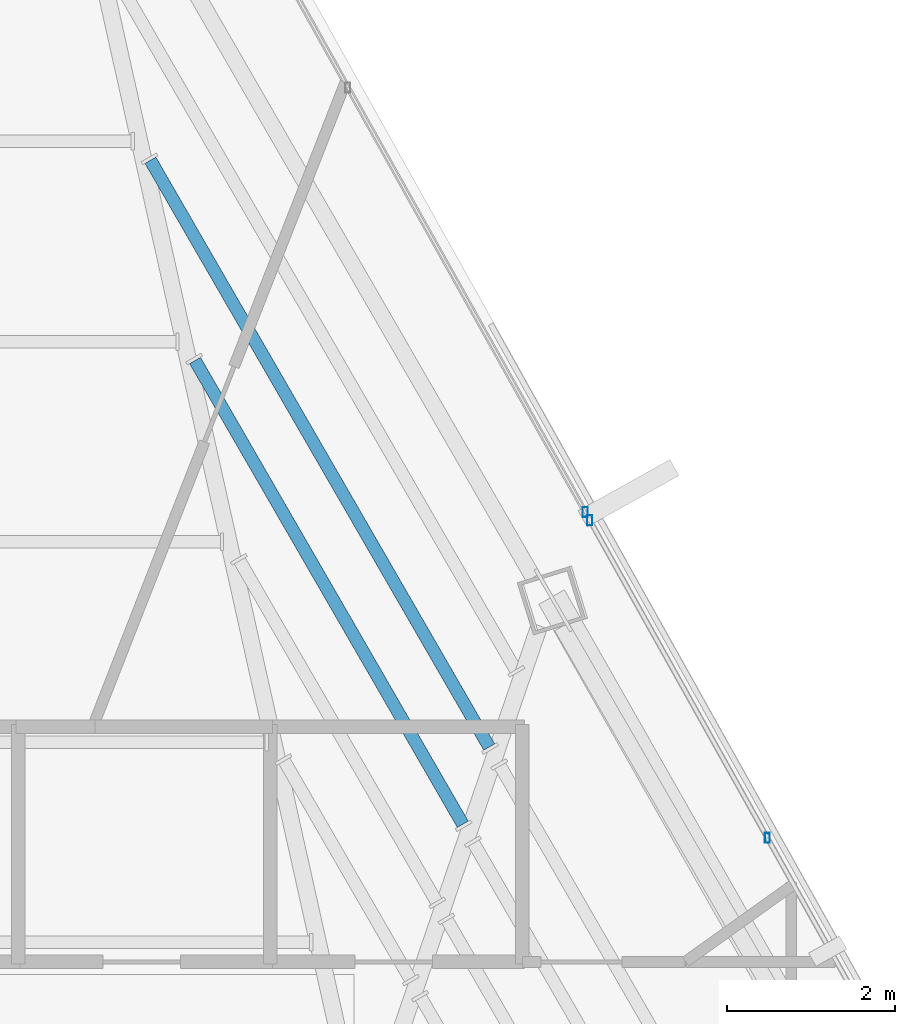
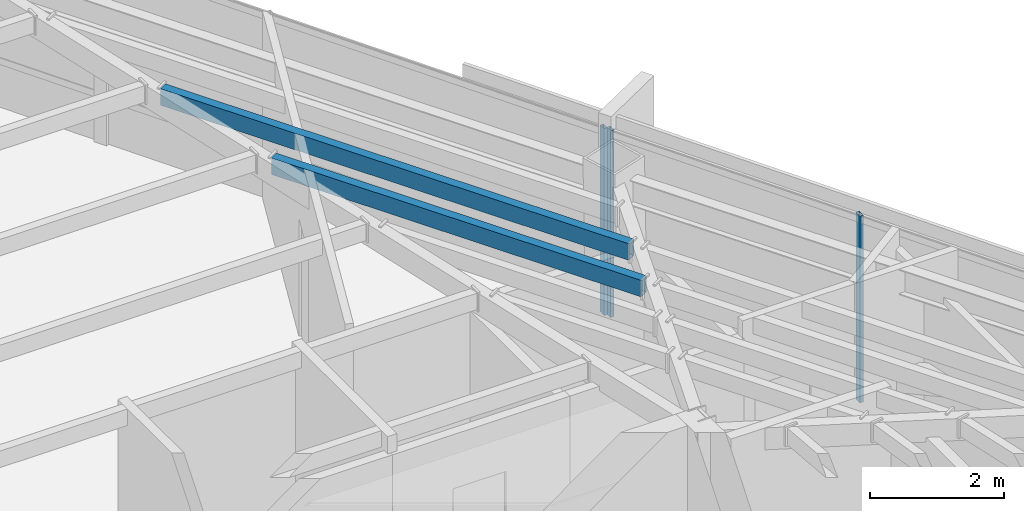
# One storey, part 30 of 47: 3 members, 2 beams, 2 elements without a shape of their own.
"""IFC4 building model written with IfcOpenShell, lengths in metres."""

import ifcopenshell
import ifcopenshell.guid

model = None  # the IFC model being written
_history = None  # IfcOwnerHistory: only IFC2X3 demands one
_inside = {}  # id of a spatial element -> (the spatial element, [elements in it])
_under = {}  # id of a project, library or spatial element -> (it, [spatial elements below it])
_declared = {}  # id of a project -> (the project, [libraries it declares])
_typed = {}  # id of a type object -> (the type object, [elements of that type])
_made_of = {}  # id of a material, layer set ... -> (it, [elements and type objects made of it])


def new_model(schema):
    """Start an empty IFC model of exactly this schema.

    Asked for "IFC4X3", IfcOpenShell would pick the latest addendum, in which some entities
    have other attributes; the version numbers below select the first issue.
    IFC2X3 requires an IfcOwnerHistory on every rooted entity: one is made here for all.
    """
    global model, _history
    if schema == "IFC4X3":
        model = ifcopenshell.file(schema_version=(4, 3, 0, 0))
    else:
        model = ifcopenshell.file(schema=schema)
    _inside.clear()
    _under.clear()
    _declared.clear()
    _typed.clear()
    _made_of.clear()
    _history = None
    if model.schema == "IFC2X3":
        org = make("IfcOrganization", Name="unknown")
        user = make(
            "IfcPersonAndOrganization",
            ThePerson=make("IfcPerson", FamilyName="unknown"),
            TheOrganization=org,
        )
        app = make(
            "IfcApplication",
            ApplicationDeveloper=org,
            Version="unknown",
            ApplicationFullName="unknown",
            ApplicationIdentifier="unknown",
        )
        _history = make(
            "IfcOwnerHistory",
            OwningUser=user,
            OwningApplication=app,
            ChangeAction="ADDED",
            CreationDate=0,
        )
    return model


def make(cls, **values):
    """One entity of the class cls with the attributes given. An attribute that is None is left unset."""
    return model.create_entity(
        cls, **{name: value for name, value in values.items() if value is not None}
    )


def rooted(cls, **values):
    """An entity with a GlobalId (a new one), such as an element, a storey or a relation."""
    return make(cls, GlobalId=ifcopenshell.guid.new(), OwnerHistory=_history, **values)


def si_unit(unit_type, name, prefix=None):
    """IfcSIUnit, for example si_unit("LENGTHUNIT", "METRE", prefix="MILLI")."""
    return make("IfcSIUnit", UnitType=unit_type, Prefix=prefix, Name=name)


def assignment(units):
    """IfcUnitAssignment: the units of a project."""
    return None if units is None else make("IfcUnitAssignment", Units=units)


def point(xyz):
    """IfcCartesianPoint."""
    return None if xyz is None else make("IfcCartesianPoint", Coordinates=xyz)


def direction(xyz):
    """IfcDirection."""
    return None if xyz is None else make("IfcDirection", DirectionRatios=xyz)


def frame(location, z_axis=None, x_axis=None):
    """IfcAxis2Placement3D, a coordinate frame: its origin and axes. An axis left out is left unset."""
    return make(
        "IfcAxis2Placement3D",
        Location=point(location),
        Axis=direction(z_axis),
        RefDirection=direction(x_axis),
    )


def frame_2d(location, x_axis=None):
    """IfcAxis2Placement2D, a coordinate frame in the plane: its origin and x axis."""
    return make(
        "IfcAxis2Placement2D", Location=point(location), RefDirection=direction(x_axis)
    )


def origin():
    """The frame at (0, 0, 0) with its axes left unset."""
    return frame((0.0, 0.0, 0.0))


def origin_2d():
    """The frame at (0, 0) in the plane with its x axis left unset."""
    return frame_2d((0.0, 0.0))


def place(relative_to, where):
    """IfcLocalPlacement: puts the frame where relative to a parent placement (None: the world)."""
    return make(
        "IfcLocalPlacement", PlacementRelTo=relative_to, RelativePlacement=where
    )


def context(
    kind, dimensions, precision=None, world=None, true_north=None, identifier=None
):
    """IfcGeometricRepresentationContext, for example the 3D "Model" context."""
    return make(
        "IfcGeometricRepresentationContext",
        ContextIdentifier=identifier,
        ContextType=kind,
        CoordinateSpaceDimension=dimensions,
        Precision=precision,
        WorldCoordinateSystem=world,
        TrueNorth=true_north,
    )


def subcontext(parent, identifier, kind, view, scale=None):
    """IfcGeometricRepresentationSubContext, for example "Body" below "Model"."""
    return make(
        "IfcGeometricRepresentationSubContext",
        ContextIdentifier=identifier,
        ContextType=kind,
        ParentContext=parent,
        TargetScale=scale,
        TargetView=view,
    )


def project(units=None, contexts=None):
    """IfcProject with its units and contexts."""
    return rooted(
        "IfcProject",
        Name="project",
        RepresentationContexts=contexts,
        UnitsInContext=assignment(units),
    )


def spatial(cls, under=None, at=None, **own):
    """A site, building, storey or space (cls), placed at a placement, below another one or the project."""
    s = rooted(cls, ObjectPlacement=at, **own)
    if under is not None:
        _under.setdefault(under.id(), (under, []))[1].append(s)
    return s


def profile(cls, at=None, kind="AREA", **sizes):
    """A parametric profile (cls). Its sizes go by their IFC names, for example OverallWidth=200.0."""
    return make(cls, ProfileType=kind, Position=at, **sizes)


def hollow_rectangle(**sizes):
    """IfcRectangleHollowProfileDef."""
    return profile("IfcRectangleHollowProfileDef", **sizes)


def extrude(swept, where, along, depth):
    """IfcExtrudedAreaSolid: the profile swept, set in the frame where, extruded along a direction by depth."""
    return make(
        "IfcExtrudedAreaSolid",
        SweptArea=swept,
        Position=where,
        ExtrudedDirection=direction(along),
        Depth=depth,
    )


def shape(context_of_items, identifier, shape_type, items):
    """IfcShapeRepresentation: the items that make up one representation, for example the "Body"."""
    return make(
        "IfcShapeRepresentation",
        ContextOfItems=context_of_items,
        RepresentationIdentifier=identifier,
        RepresentationType=shape_type,
        Items=items,
    )


def source(mapping_origin, context_of_items, identifier, shape_type, items):
    """IfcRepresentationMap: a shape defined once, which mapped items show again and again."""
    return make(
        "IfcRepresentationMap",
        MappingOrigin=mapping_origin,
        MappedRepresentation=shape(context_of_items, identifier, shape_type, items),
    )


def transform(
    local_origin,
    x_axis=None,
    y_axis=None,
    z_axis=None,
    scale=None,
    scale2=None,
    scale3=None,
    uniform=True,
):
    """IfcCartesianTransformationOperator3D, or its non-uniform kind. x_axis, y_axis, z_axis: its Axis1, 2, 3."""
    if uniform:
        return make(
            "IfcCartesianTransformationOperator3D",
            Axis1=direction(x_axis),
            Axis2=direction(y_axis),
            LocalOrigin=point(local_origin),
            Scale=scale,
            Axis3=direction(z_axis),
        )
    return make(
        "IfcCartesianTransformationOperator3DnonUniform",
        Axis1=direction(x_axis),
        Axis2=direction(y_axis),
        LocalOrigin=point(local_origin),
        Scale=scale,
        Axis3=direction(z_axis),
        Scale2=scale2,
        Scale3=scale3,
    )


def mapped(mapping_source, mapping_target):
    """IfcMappedItem: shows the shape of a source again, moved by a transform."""
    return make(
        "IfcMappedItem", MappingSource=mapping_source, MappingTarget=mapping_target
    )


def material(Name=None, Category=None):
    """IfcMaterial."""
    return make("IfcMaterial", Name=Name, Category=Category)


def material_profile(
    of_material, cross_section, Name=None, Category=None, Priority=None
):
    """IfcMaterialProfile: a cross section and its material."""
    return make(
        "IfcMaterialProfile",
        Name=Name,
        Material=of_material,
        Profile=cross_section,
        Priority=Priority,
        Category=Category,
    )


def profile_set(profiles, Name=None, composite=None):
    """IfcMaterialProfileSet."""
    return make(
        "IfcMaterialProfileSet",
        Name=Name,
        MaterialProfiles=profiles,
        CompositeProfile=composite,
    )


def made_of(thing, what):
    """Note that an element or type object is made of a material, layer set ...; save() writes the relation."""
    if what is not None:
        _made_of.setdefault(what.id(), (what, []))[1].append(thing)
    return thing


def type_object(cls, material=None, **own):
    """A type object (cls), such as IfcWallType, which elements share."""
    return made_of(rooted(cls, **own), material)


def type_shapes(of_type, sources):
    """Give a type object the sources (RepresentationMaps) that its elements show as mapped items."""
    of_type.RepresentationMaps = sources


def element(
    cls,
    number,
    at=None,
    inside=None,
    cuts=None,
    type_object=None,
    material=None,
    context=None,
    identifier="Body",
    shape_type=None,
    held_by="IfcProductDefinitionShape",
    body=None,
    shapes=None,
    **own,
):
    """One element of the class cls, such as IfcWall. Its Tag is "e" and its number.

    at: its placement. inside: the storey or other place that contains it. cuts: it is an
    opening in that element (IfcRelVoidsElement). A single representation is given by context,
    identifier, shape_type and body (its items); several are given by shapes. held_by: the class
    of the entity that holds the representations. save() writes the other relations.
    """
    e = rooted(cls, Tag="e%d" % number, ObjectPlacement=at, **own)
    if body is not None:
        shapes = [shape(context, identifier, shape_type, body)]
    if shapes is not None:
        e.Representation = make(held_by, Representations=shapes)
    if inside is not None:
        _inside.setdefault(inside.id(), (inside, []))[1].append(e)
    if cuts is not None:
        rooted(
            "IfcRelVoidsElement", RelatingBuildingElement=cuts, RelatedOpeningElement=e
        )
    if type_object is not None:
        _typed.setdefault(type_object.id(), (type_object, []))[1].append(e)
    return made_of(e, material)


def aggregate(whole, parts):
    """IfcRelAggregates: a whole, such as a stair, and the parts it consists of."""
    return rooted("IfcRelAggregates", RelatingObject=whole, RelatedObjects=parts)


def save(model, path):
    """Write the relations noted so far, then the file.

    IfcRelAggregates (storeys below a building ...), IfcRelContainedInSpatialStructure (elements
    in a storey), IfcRelDefinesByType, IfcRelAssociatesMaterial and IfcRelDeclares: one each for
    every whole, place, type object, material and project.
    """
    for whole, parts in _under.values():
        aggregate(whole, parts)
    for where, things in _inside.values():
        rooted(
            "IfcRelContainedInSpatialStructure",
            RelatedElements=things,
            RelatingStructure=where,
        )
    for kind, things in _typed.values():
        rooted("IfcRelDefinesByType", RelatedObjects=things, RelatingType=kind)
    for what, things in _made_of.values():
        rooted("IfcRelAssociatesMaterial", RelatedObjects=things, RelatingMaterial=what)
    for by, libraries in _declared.values():
        rooted("IfcRelDeclares", RelatingContext=by, RelatedDefinitions=libraries)
    model.write(path)


model = new_model("IFC4")

# Units and contexts
model_context = context("Model", 3, precision=1e-05, world=origin(), true_north=direction((0.0, 1.0)))
body_context = subcontext(model_context, "Body", "Model", "MODEL_VIEW")
ifc_project = project(units=[si_unit("LENGTHUNIT", "METRE"), si_unit("AREAUNIT", "SQUARE_METRE"), si_unit("VOLUMEUNIT", "CUBIC_METRE"), si_unit("PLANEANGLEUNIT", "RADIAN"), si_unit("MASSUNIT", "GRAM", prefix="KILO")], contexts=[model_context])

# Site, building, storey
site_placement = place(None, origin())
site = spatial("IfcSite", under=ifc_project, at=site_placement, CompositionType="ELEMENT")
building_placement = place(site_placement, origin())
building = spatial("IfcBuilding", under=site, at=building_placement, Name="Caelisora Broadcast Tower", CompositionType="ELEMENT")
storey_placement = place(building_placement, frame((0.0, 0.0, 255.39990234375)))
storey = spatial("IfcBuildingStorey", under=building, at=storey_placement, Name="L67", CompositionType="ELEMENT", Elevation=255.39990234375)

# Beams
ifc_material_1 = material(Name="Steel Grade 350 (AS/NZS 1163 C350L0)", Category="steel")
ifc_material_profile_1 = material_profile(ifc_material_1, hollow_rectangle(XDim=0.14990234375, YDim=0.300048828125, WallThickness=0.010009765625, at=origin_2d()), Name="Steel Grade 350 (AS/NZS 1163 C350L0)")
ifc_profile_set_1 = profile_set([ifc_material_profile_1], Name="Steel Grade 350 (AS/NZS 1163 C350L0)")
beam_type = type_object("IfcBeamType", Name="SB05", PredefinedType="JOIST", material=ifc_profile_set_1)
shared_shape_1 = source(origin(), body_context, "Body", "SweptSolid", [
    extrude(hollow_rectangle(XDim=0.14990234375, YDim=0.300048828125, WallThickness=0.010009765625, at=origin_2d()), origin(), (0.0, 0.0, 1.0), 6.371826171875),
])
beam_1_placement = place(storey_placement, frame((46.69189453125, 33.78759765625, 3.25), z_axis=(-0.500020955208, 0.866013304951, 0.0), x_axis=(-0.866013304951, -0.500020955208, 0.0)))
element("IfcBeam", 1, at=beam_1_placement, inside=storey, type_object=beam_type, Name="L67 beam SB05", PredefinedType="JOIST", context=body_context, shape_type="MappedRepresentation", body=[
    mapped(shared_shape_1, transform((0.0, 0.0, 0.0), scale=1.0)),
])
shared_shape_2 = source(origin(), body_context, "Body", "SweptSolid", [
    extrude(hollow_rectangle(XDim=0.14990234375, YDim=0.300048828125, WallThickness=0.010009765625, at=origin_2d()), origin(), (0.0, 0.0, 1.0), 8.062255859375),
])
type_shapes(beam_type, [shared_shape_1, shared_shape_2])
beam_2_placement = place(storey_placement, frame((47.006103515625, 34.706298828125, 3.25), z_axis=(-0.500008168067, 0.866020687897, 0.0), x_axis=(-0.866020687897, -0.500008168067, 0.0)))
element("IfcBeam", 2, at=beam_2_placement, inside=storey, type_object=beam_type, Name="L67 beam SB05", PredefinedType="JOIST", context=body_context, shape_type="MappedRepresentation", body=[
    mapped(shared_shape_2, transform((0.0, 0.0, 0.0), scale=1.0)),
])

# Curtain wall, member
ifc_material_2 = material(Name="Unitised Aluminium and Low-E Glass Curtain Wall", Category="glass")
curtain_wall_type_1 = type_object("IfcCurtainWallType", Name="CW-Z5", PredefinedType="NOTDEFINED", material=ifc_material_2)
curtain_wall_1_placement = place(storey_placement, origin())
curtain_wall_1 = element("IfcCurtainWall", 3, at=curtain_wall_1_placement, inside=storey, type_object=curtain_wall_type_1, Name="L67 curtain wall CW-Z5", PredefinedType="NOTDEFINED")
ifc_material_3 = material(Name="Aluminium 6063-T6 Anodised Terracotta Bronze", Category="aluminium")
ifc_material_profile_2 = material_profile(ifc_material_3, hollow_rectangle(XDim=0.06005859375, YDim=0.1201171875, WallThickness=0.0029296875, at=origin_2d()), Name="Aluminium 6063-T6 Anodised Terracotta Bronze")
ifc_profile_set_2 = profile_set([ifc_material_profile_2], Name="Aluminium 6063-T6 Anodised Terracotta Bronze")
member_type = type_object("IfcMemberType", Name="CWM-04", PredefinedType="MULLION", material=ifc_profile_set_2)
shared_shape_3 = source(origin(), body_context, "Body", "SweptSolid", [
    extrude(hollow_rectangle(XDim=0.06005859375, YDim=0.1201171875, WallThickness=0.0029296875, at=origin_2d()), origin(), (0.0, 0.0, 1.0), 3.400146484375),
])
type_shapes(member_type, [shared_shape_3])
member_1_placement = place(storey_placement, frame((48.14892578125, 37.501708984375, 0.0), z_axis=(0.0, 0.0, 1.0), x_axis=(1.0, 0.0, 0.0)))
member_1 = element("IfcMember", 4, at=member_1_placement, type_object=member_type, Name="L67-CW-B01 mullion #3", PredefinedType="MULLION", context=body_context, shape_type="MappedRepresentation", body=[
    mapped(shared_shape_3, transform((0.0, 0.0, 0.0), scale=1.0)),
])
aggregate(curtain_wall_1, [member_1])

# Curtain wall, members
ifc_material_4 = material(Name="Unitised Aluminium Insulated Shadow-Box Spandrel Curtain Wall", Category="aluminium")
curtain_wall_type_2 = type_object("IfcCurtainWallType", Name="CW-SP3", PredefinedType="NOTDEFINED", material=ifc_material_4)
curtain_wall_2_placement = place(storey_placement, origin())
curtain_wall_2 = element("IfcCurtainWall", 5, at=curtain_wall_2_placement, inside=storey, type_object=curtain_wall_type_2, Name="L67 curtain wall CW-SP3", PredefinedType="NOTDEFINED")
member_2_placement = place(storey_placement, frame((48.20263671875, 37.40576171875, 0.0), z_axis=(0.0, 0.0, 1.0), x_axis=(1.0, 0.0, 0.0)))
member_2 = element("IfcMember", 6, at=member_2_placement, type_object=member_type, Name="L67-CW-B02 mullion #0", PredefinedType="MULLION", context=body_context, shape_type="MappedRepresentation", body=[
    mapped(shared_shape_3, transform((0.0, 0.0, 0.0), scale=1.0)),
])
member_3_placement = place(storey_placement, frame((50.315185546875, 33.62646484375, 0.0), z_axis=(0.0, 0.0, 1.0), x_axis=(1.0, 0.0, 0.0)))
member_3 = element("IfcMember", 7, at=member_3_placement, type_object=member_type, Name="L67-CW-B02 mullion #1", PredefinedType="MULLION", context=body_context, shape_type="MappedRepresentation", body=[
    mapped(shared_shape_3, transform((0.0, 0.0, 0.0), scale=1.0)),
])
aggregate(curtain_wall_2, [member_2, member_3])

save(model, "model.ifc")
